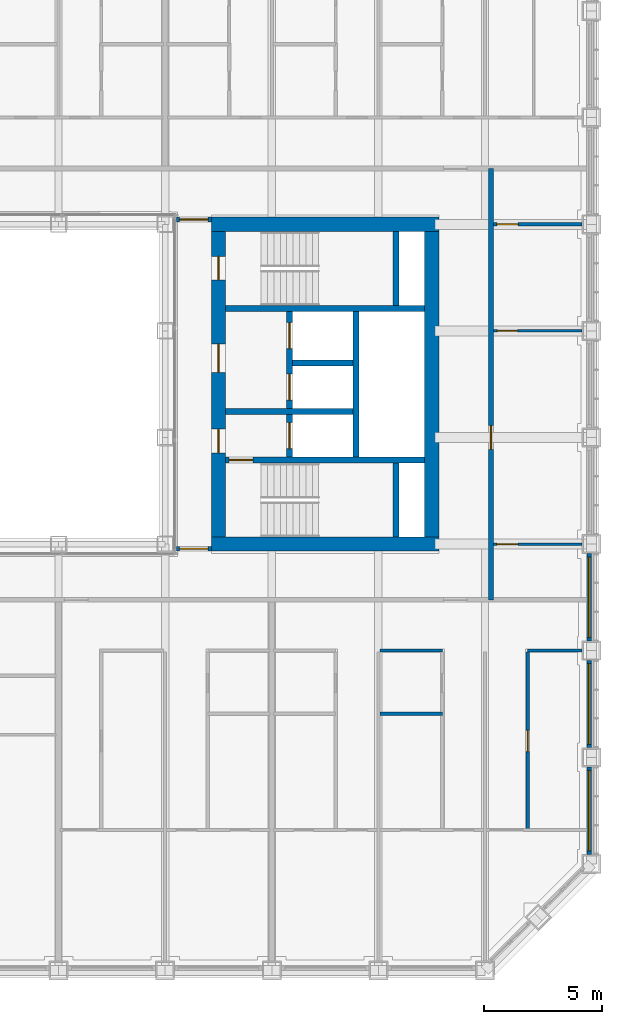
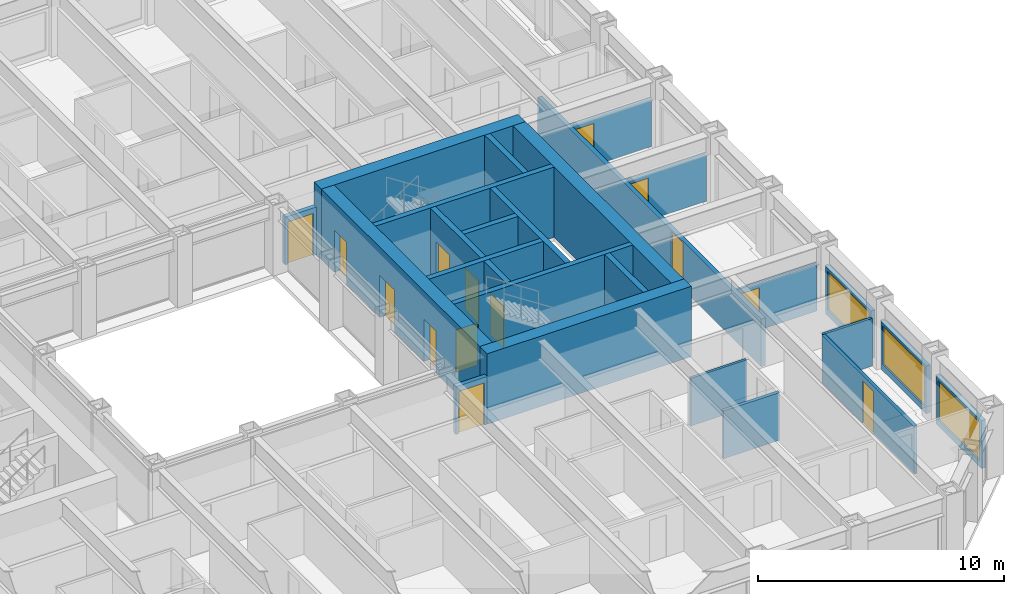
# One storey, part 12 of 21: 25 walls, 14 doors, 3 windows, 17 openings.
"""IFC4 building model written with IfcOpenShell, lengths in metres."""

from ifc_helpers import new_model, si_unit, direction, frame, frame_2d, origin, place, context, subcontext, project, spatial, rectangle, extrude, material, layer, layer_set, type_object, element, fill, save


model = new_model("IFC4")

# Units and contexts
model_context = context("Model", 3, precision=1e-05, world=origin(), true_north=direction((0.0, 1.0)))
body_context = subcontext(model_context, "Body", "Model", "MODEL_VIEW")
ifc_project = project(units=[si_unit("LENGTHUNIT", "METRE"), si_unit("AREAUNIT", "SQUARE_METRE"), si_unit("VOLUMEUNIT", "CUBIC_METRE"), si_unit("PLANEANGLEUNIT", "RADIAN"), si_unit("MASSUNIT", "GRAM", prefix="KILO")], contexts=[model_context])

# Site, building, storey
site_placement = place(None, origin())
site = spatial("IfcSite", under=ifc_project, at=site_placement, CompositionType="ELEMENT")
building_placement = place(site_placement, origin())
building = spatial("IfcBuilding", under=site, at=building_placement, Name="Msasa Ring Tower", CompositionType="ELEMENT")
storey_placement = place(building_placement, frame((0.0, 0.0, 75.5)))
storey = spatial("IfcBuildingStorey", under=building, at=storey_placement, Name="L19", CompositionType="ELEMENT", Elevation=75.5)

# Walls
ifc_material_1 = material(Name="Concrete C60/75", Category="concrete")
ifc_layer_1 = layer(ifc_material_1, 0.60009765625)
ifc_layer_set_1 = layer_set([ifc_layer_1], Name="CW1 CORE WALL 600")
wall_type_1 = type_object("IfcWallType", Name="CW1 CORE WALL 600", PredefinedType="SHEAR", material=ifc_layer_set_1)
for number, where, z_axis, x_axis, name in (
    (1, (8.699951171875, -6.75, 0.0), (0.0, 0.0, 1.0), (1.0, 0.0, 0.0), "E core wall S L19"),
    (2, (8.699951171875, 6.75, 0.0), (0.0, 0.0, 1.0), (1.0, 0.0, 0.0), "E core wall N L19"),
):
    element("IfcWall", number, at=place(storey_placement, frame(where, z_axis=z_axis, x_axis=x_axis)), inside=storey, type_object=wall_type_1, Name=name, PredefinedType="SHEAR", context=body_context, shape_type="SweptSolid", body=[
        extrude(rectangle(XDim=9.60009765625, YDim=0.60009765625, at=frame_2d((4.800048828125, 0.0))), origin(), (0.0, 0.0, 1.0), 3.5),
    ])

# Wall, openings, doors
wall_1_placement = place(storey_placement, frame((9.0, -6.449951171875, 0.0), z_axis=(0.0, 0.0, 1.0), x_axis=(0.0, 1.0, 0.0)))
wall_1 = element("IfcWall", 3, at=wall_1_placement, inside=storey, type_object=wall_type_1, Name="E core wall W L19", PredefinedType="SHEAR", context=body_context, shape_type="SweptSolid", body=[
    extrude(rectangle(XDim=12.89990234375, YDim=0.60009765625, at=frame_2d((6.449951171875, 0.0))), origin(), (0.0, 0.0, 1.0), 3.5),
])
opening_1_placement = place(wall_1_placement, frame((3.550048828125, 0.0, 0.0)))
opening_1 = element("IfcOpeningElement", 4, at=opening_1_placement, cuts=wall_1, Name="Opening RE-050", PredefinedType="OPENING", context=body_context, shape_type="SweptSolid", body=[
    extrude(rectangle(XDim=1.0, YDim=2.10009765625, at=frame_2d((0.5, 1.050048828125))), frame((0.0, 0.31005859375, 0.0), z_axis=(0.0, -1.0, 0.0), x_axis=(1.0, 0.0, 0.0)), (0.0, 0.0, 1.0), 0.6201171875),
])
opening_2_placement = place(wall_1_placement, frame((6.949951171875, 0.0, 0.0)))
opening_2 = element("IfcOpeningElement", 5, at=opening_2_placement, cuts=wall_1, Name="Opening RE-045", PredefinedType="OPENING", context=body_context, shape_type="SweptSolid", body=[
    extrude(rectangle(XDim=1.199951171875, YDim=2.10009765625, at=frame_2d((0.60009765625, 1.050048828125))), frame((0.0, 0.31005859375, 0.0), z_axis=(0.0, -1.0, 0.0), x_axis=(1.0, 0.0, 0.0)), (0.0, 0.0, 1.0), 0.6201171875),
])
opening_3_placement = place(wall_1_placement, frame((10.85009765625, 0.0, 0.0)))
opening_3 = element("IfcOpeningElement", 6, at=opening_3_placement, cuts=wall_1, Name="Opening RE-041", PredefinedType="OPENING", context=body_context, shape_type="SweptSolid", body=[
    extrude(rectangle(XDim=1.0, YDim=2.10009765625, at=frame_2d((0.5, 1.050048828125))), frame((0.0, 0.31005859375, 0.0), z_axis=(0.0, -1.0, 0.0), x_axis=(1.0, 0.0, 0.0)), (0.0, 0.0, 1.0), 0.6201171875),
])
ifc_material_2 = material(Name="Timber door leaf in a steel frame", Category="steel")
door_type_1 = type_object("IfcDoorType", Name="D4 LOBBY DOOR 1000x2100", OperationType="SINGLE_SWING_LEFT", PredefinedType="DOOR", material=ifc_material_2)
door_1_placement = place(opening_1_placement, origin())
door_1 = element("IfcDoor", 7, at=door_1_placement, inside=storey, type_object=door_type_1, Name="Door L19-EFFL", OperationType="SINGLE_SWING_LEFT", OverallHeight=2.10009765625, OverallWidth=1.0, PredefinedType="DOOR", context=body_context, shape_type="SweptSolid", body=[
    extrude(rectangle(XDim=1.0, YDim=2.10009765625, at=frame_2d((0.5, 1.050048828125))), frame((0.0, 0.02490234375, 0.0), z_axis=(0.0, -1.0, 0.0), x_axis=(1.0, 0.0, 0.0)), (0.0, 0.0, 1.0), 0.050048828125),
])
fill(opening_1, door_1)
ifc_material_3 = material(Name="Timber door leaf in a steel frame", Category="steel")
door_type_2 = type_object("IfcDoorType", Name="D5 WIDE LOBBY DOOR 1200x2100", OperationType="SINGLE_SWING_LEFT", PredefinedType="DOOR", material=ifc_material_3)
door_2_placement = place(opening_2_placement, origin())
door_2 = element("IfcDoor", 8, at=door_2_placement, inside=storey, type_object=door_type_2, Name="Door L19-ELL", OperationType="SINGLE_SWING_RIGHT", OverallHeight=2.10009765625, OverallWidth=1.199951171875, PredefinedType="DOOR", context=body_context, shape_type="SweptSolid", body=[
    extrude(rectangle(XDim=1.199951171875, YDim=2.10009765625, at=frame_2d((0.60009765625, 1.050048828125))), frame((0.0, 0.02490234375, 0.0), z_axis=(0.0, -1.0, 0.0), x_axis=(1.0, 0.0, 0.0)), (0.0, 0.0, 1.0), 0.050048828125),
])
fill(opening_2, door_2)
ifc_material_4 = material(Name="Timber door leaf in a steel frame", Category="steel")
door_type_3 = type_object("IfcDoorType", Name="D6 STAIR DOOR 1000x2100", OperationType="SINGLE_SWING_LEFT", PredefinedType="DOOR", material=ifc_material_4)
door_3_placement = place(opening_3_placement, origin())
door_3 = element("IfcDoor", 9, at=door_3_placement, inside=storey, type_object=door_type_3, Name="Door L19-ESTB", OperationType="SINGLE_SWING_RIGHT", OverallHeight=2.10009765625, OverallWidth=1.0, PredefinedType="DOOR", context=body_context, shape_type="SweptSolid", body=[
    extrude(rectangle(XDim=1.0, YDim=2.10009765625, at=frame_2d((0.5, 1.050048828125))), frame((0.0, 0.02490234375, 0.0), z_axis=(0.0, -1.0, 0.0), x_axis=(1.0, 0.0, 0.0)), (0.0, 0.0, 1.0), 0.050048828125),
])
fill(opening_3, door_3)

# Wall
wall_2_placement = place(storey_placement, frame((18.0, -6.449951171875, 0.0), z_axis=(0.0, 0.0, 1.0), x_axis=(0.0, 1.0, 0.0)))
element("IfcWall", 10, at=wall_2_placement, inside=storey, type_object=wall_type_1, Name="E core wall E L19", PredefinedType="SHEAR", context=body_context, shape_type="SweptSolid", body=[
    extrude(rectangle(XDim=12.89990234375, YDim=0.60009765625, at=frame_2d((6.449951171875, 0.0))), origin(), (0.0, 0.0, 1.0), 3.5),
])

# Wall, opening, door
ifc_material_5 = material(Name="Concrete C60/75", Category="concrete")
ifc_layer_2 = layer(ifc_material_5, 0.25)
ifc_layer_set_2 = layer_set([ifc_layer_2], Name="CW4 CORE INNER WALL 250")
wall_type_2 = type_object("IfcWallType", Name="CW4 CORE INNER WALL 250", PredefinedType="SHEAR", material=ifc_layer_set_2)
wall_3_placement = place(storey_placement, frame((9.300048828125, -3.199951171875, 0.0), z_axis=(0.0, 0.0, 1.0), x_axis=(1.0, 0.0, 0.0)))
wall_3 = element("IfcWall", 11, at=wall_3_placement, inside=storey, type_object=wall_type_2, Name="E core wall STAIRA L19", PredefinedType="SHEAR", context=body_context, shape_type="SweptSolid", body=[
    extrude(rectangle(XDim=8.39990234375, YDim=0.25, at=frame_2d((4.199951171875, 0.0))), origin(), (0.0, 0.0, 1.0), 3.5),
])
opening_4_placement = place(wall_3_placement, frame((0.14990234375, 0.0, 0.0)))
opening_4 = element("IfcOpeningElement", 12, at=opening_4_placement, cuts=wall_3, Name="Opening RE-052", PredefinedType="OPENING", context=body_context, shape_type="SweptSolid", body=[
    extrude(rectangle(XDim=1.0, YDim=2.10009765625, at=frame_2d((0.5, 1.050048828125))), frame((0.0, 0.135009765625, 0.0), z_axis=(0.0, -1.0, 0.0), x_axis=(1.0, 0.0, 0.0)), (0.0, 0.0, 1.0), 0.27001953125),
])
door_4_placement = place(opening_4_placement, origin())
door_4 = element("IfcDoor", 13, at=door_4_placement, inside=storey, type_object=door_type_3, Name="Door L19-ESTA", OperationType="SINGLE_SWING_LEFT", OverallHeight=2.10009765625, OverallWidth=1.0, PredefinedType="DOOR", context=body_context, shape_type="SweptSolid", body=[
    extrude(rectangle(XDim=1.0, YDim=2.10009765625, at=frame_2d((0.5, 1.050048828125))), frame((0.0, 0.02490234375, 0.0), z_axis=(0.0, -1.0, 0.0), x_axis=(1.0, 0.0, 0.0)), (0.0, 0.0, 1.0), 0.050048828125),
])
fill(opening_4, door_4)

# Walls
wall_4_placement = place(storey_placement, frame((9.300048828125, 3.199951171875, 0.0), z_axis=(0.0, 0.0, 1.0), x_axis=(1.0, 0.0, 0.0)))
element("IfcWall", 14, at=wall_4_placement, inside=storey, type_object=wall_type_2, Name="E core wall STAIRB L19", PredefinedType="SHEAR", context=body_context, shape_type="SweptSolid", body=[
    extrude(rectangle(XDim=8.39990234375, YDim=0.25, at=frame_2d((4.199951171875, 0.0))), origin(), (0.0, 0.0, 1.0), 3.5),
])
for number, where, z_axis, x_axis, name in (
    (15, (16.5, -6.449951171875, 0.0), (0.0, 0.0, 1.0), (0.0, 1.0, 0.0), "E core wall RISERA L19"),
    (16, (16.5, 3.324951171875, 0.0), (0.0, 0.0, 1.0), (0.0, 1.0, 0.0), "E core wall RISERB L19"),
):
    element("IfcWall", number, at=place(storey_placement, frame(where, z_axis=z_axis, x_axis=x_axis)), inside=storey, type_object=wall_type_2, Name=name, PredefinedType="SHEAR", context=body_context, shape_type="SweptSolid", body=[
        extrude(rectangle(XDim=3.125, YDim=0.25, at=frame_2d((1.5625, 0.0))), origin(), (0.0, 0.0, 1.0), 3.5),
    ])
wall_5_placement = place(storey_placement, frame((9.300048828125, -1.14990234375, 0.0), z_axis=(0.0, 0.0, 1.0), x_axis=(1.0, 0.0, 0.0)))
element("IfcWall", 17, at=wall_5_placement, inside=storey, type_object=wall_type_2, Name="E core wall FFL L19", PredefinedType="SHEAR", context=body_context, shape_type="SweptSolid", body=[
    extrude(rectangle(XDim=5.375, YDim=0.25, at=frame_2d((2.6875, 0.0))), origin(), (0.0, 0.0, 1.0), 3.5),
])

# Wall, openings, doors
wall_6_placement = place(storey_placement, frame((12.0, -3.074951171875, 0.0), z_axis=(0.0, 0.0, 1.0), x_axis=(0.0, 1.0, 0.0)))
wall_6 = element("IfcWall", 18, at=wall_6_placement, inside=storey, type_object=wall_type_2, Name="E core wall LOBBY L19", PredefinedType="SHEAR", context=body_context, shape_type="SweptSolid", body=[
    extrude(rectangle(XDim=6.14990234375, YDim=0.25, at=frame_2d((3.074951171875, 0.0))), origin(), (0.0, 0.0, 1.0), 3.5),
])
opening_5_placement = place(wall_6_placement, frame((0.35009765625, 0.0, 0.0)))
opening_5 = element("IfcOpeningElement", 19, at=opening_5_placement, cuts=wall_6, Name="Opening LD1", PredefinedType="OPENING", context=body_context, shape_type="SweptSolid", body=[
    extrude(rectangle(XDim=1.10009765625, YDim=2.10009765625, at=frame_2d((0.550048828125, 1.050048828125))), frame((0.0, 0.135009765625, 0.0), z_axis=(0.0, -1.0, 0.0), x_axis=(1.0, 0.0, 0.0)), (0.0, 0.0, 1.0), 0.27001953125),
])
opening_6_placement = place(wall_6_placement, frame((2.39990234375, 0.0, 0.0)))
opening_6 = element("IfcOpeningElement", 20, at=opening_6_placement, cuts=wall_6, Name="Opening LD1", PredefinedType="OPENING", context=body_context, shape_type="SweptSolid", body=[
    extrude(rectangle(XDim=1.10009765625, YDim=2.10009765625, at=frame_2d((0.550048828125, 1.050048828125))), frame((0.0, 0.135009765625, 0.0), z_axis=(0.0, -1.0, 0.0), x_axis=(1.0, 0.0, 0.0)), (0.0, 0.0, 1.0), 0.27001953125),
])
opening_7_placement = place(wall_6_placement, frame((4.574951171875, 0.0, 0.0)))
opening_7 = element("IfcOpeningElement", 21, at=opening_7_placement, cuts=wall_6, Name="Opening LD1", PredefinedType="OPENING", context=body_context, shape_type="SweptSolid", body=[
    extrude(rectangle(XDim=1.10009765625, YDim=2.10009765625, at=frame_2d((0.550048828125, 1.050048828125))), frame((0.0, 0.135009765625, 0.0), z_axis=(0.0, -1.0, 0.0), x_axis=(1.0, 0.0, 0.0)), (0.0, 0.0, 1.0), 0.27001953125),
])
ifc_material_6 = material(Name="Stainless steel lift landing door", Category="steel")
door_type_4 = type_object("IfcDoorType", Name="LD1 LIFT LANDING DOOR 1100x2100", OperationType="DOUBLE_DOOR_SLIDING", PredefinedType="DOOR", material=ifc_material_6)
door_5_placement = place(opening_5_placement, origin())
door_5 = element("IfcDoor", 22, at=door_5_placement, inside=storey, type_object=door_type_4, Name="Lift landing door FL-E L19", OperationType="DOUBLE_DOOR_SLIDING", OverallHeight=2.10009765625, OverallWidth=1.10009765625, PredefinedType="DOOR", context=body_context, shape_type="SweptSolid", body=[
    extrude(rectangle(XDim=1.10009765625, YDim=2.10009765625, at=frame_2d((0.550048828125, 1.050048828125))), frame((0.0, 0.02490234375, 0.0), z_axis=(0.0, -1.0, 0.0), x_axis=(1.0, 0.0, 0.0)), (0.0, 0.0, 1.0), 0.050048828125),
])
fill(opening_5, door_5)
door_6_placement = place(opening_6_placement, origin())
door_6 = element("IfcDoor", 23, at=door_6_placement, inside=storey, type_object=door_type_4, Name="Lift landing door PL-R1 L19", OperationType="DOUBLE_DOOR_SLIDING", OverallHeight=2.10009765625, OverallWidth=1.10009765625, PredefinedType="DOOR", context=body_context, shape_type="SweptSolid", body=[
    extrude(rectangle(XDim=1.10009765625, YDim=2.10009765625, at=frame_2d((0.550048828125, 1.050048828125))), frame((0.0, 0.02490234375, 0.0), z_axis=(0.0, -1.0, 0.0), x_axis=(1.0, 0.0, 0.0)), (0.0, 0.0, 1.0), 0.050048828125),
])
fill(opening_6, door_6)
door_7_placement = place(opening_7_placement, origin())
door_7 = element("IfcDoor", 24, at=door_7_placement, inside=storey, type_object=door_type_4, Name="Lift landing door PL-R2 L19", OperationType="DOUBLE_DOOR_SLIDING", OverallHeight=2.10009765625, OverallWidth=1.10009765625, PredefinedType="DOOR", context=body_context, shape_type="SweptSolid", body=[
    extrude(rectangle(XDim=1.10009765625, YDim=2.10009765625, at=frame_2d((0.550048828125, 1.050048828125))), frame((0.0, 0.02490234375, 0.0), z_axis=(0.0, -1.0, 0.0), x_axis=(1.0, 0.0, 0.0)), (0.0, 0.0, 1.0), 0.050048828125),
])
fill(opening_7, door_7)

# Walls
wall_7_placement = place(storey_placement, frame((14.800048828125, -3.074951171875, 0.0), z_axis=(0.0, 0.0, 1.0), x_axis=(0.0, 1.0, 0.0)))
element("IfcWall", 25, at=wall_7_placement, inside=storey, type_object=wall_type_2, Name="E core wall SHAFT L19", PredefinedType="SHEAR", context=body_context, shape_type="SweptSolid", body=[
    extrude(rectangle(XDim=6.14990234375, YDim=0.25, at=frame_2d((3.074951171875, 0.0))), origin(), (0.0, 0.0, 1.0), 3.5),
])
wall_8_placement = place(storey_placement, frame((12.125, 0.89990234375, 0.0), z_axis=(0.0, 0.0, 1.0), x_axis=(1.0, 0.0, 0.0)))
element("IfcWall", 26, at=wall_8_placement, inside=storey, type_object=wall_type_2, Name="E core wall LIFT1 L19", PredefinedType="SHEAR", context=body_context, shape_type="SweptSolid", body=[
    extrude(rectangle(XDim=2.550048828125, YDim=0.25, at=frame_2d((1.27490234375, 0.0))), origin(), (0.0, 0.0, 1.0), 3.5),
])

# Wall, opening, window
ifc_material_7 = material(Name="Terracotta rainscreen on blockwork", Category="masonry")
ifc_layer_3 = layer(ifc_material_7, 0.199951171875)
ifc_layer_set_3 = layer_set([ifc_layer_3], Name="FW1 TERRACOTTA-LINED INFILL BAY WALL 200")
wall_type_3 = type_object("IfcWallType", Name="FW1 TERRACOTTA-LINED INFILL BAY WALL 200", PredefinedType="SOLIDWALL", material=ifc_layer_set_3)
wall_9_placement = place(storey_placement, frame((24.64990234375, -19.844970703125, 0.0), z_axis=(0.0, 0.0, 1.0), x_axis=(0.0, 1.0, 0.0)))
wall_9 = element("IfcWall", 27, at=wall_9_placement, inside=storey, type_object=wall_type_3, Name="Infill bay wall E L19 11", PredefinedType="SOLIDWALL", context=body_context, shape_type="SweptSolid", body=[
    extrude(rectangle(XDim=3.68994140625, YDim=0.199951171875, at=frame_2d((1.844970703125, 0.0))), origin(), (0.0, 0.0, 1.0), 2.37890625),
])
opening_8_placement = place(wall_9_placement, frame((0.14501953125, 0.0, 0.300048828125)))
opening_8 = element("IfcOpeningElement", 28, at=opening_8_placement, cuts=wall_9, Name="Opening WN1", PredefinedType="OPENING", context=body_context, shape_type="SweptSolid", body=[
    extrude(rectangle(XDim=3.39990234375, YDim=1.928955078125, at=frame_2d((1.699951171875, 0.96435546875))), frame((0.0, 0.10986328125, 0.0), z_axis=(0.0, -1.0, 0.0), x_axis=(1.0, 0.0, 0.0)), (0.0, 0.0, 1.0), 0.219970703125),
])
ifc_material_8 = material(Name="Aluminium frame with clear glass", Category="aluminium")
window_type = type_object("IfcWindowType", Name="WN1 RESIDENCE WINDOW 3400x1929", PartitioningType="SINGLE_PANEL", PredefinedType="WINDOW", material=ifc_material_8)
window_1_placement = place(opening_8_placement, origin())
window_1 = element("IfcWindow", 29, at=window_1_placement, inside=storey, type_object=window_type, Name="Window E L19 11", OverallHeight=1.928955078125, OverallWidth=3.39990234375, PartitioningType="SINGLE_PANEL", PredefinedType="WINDOW", context=body_context, shape_type="SweptSolid", body=[
    extrude(rectangle(XDim=3.39990234375, YDim=1.928955078125, at=frame_2d((1.699951171875, 0.96435546875))), frame((0.0, 0.030029296875, 0.0), z_axis=(0.0, -1.0, 0.0), x_axis=(1.0, 0.0, 0.0)), (0.0, 0.0, 1.0), 0.06005859375),
])
fill(opening_8, window_1)

wall_10_placement = place(storey_placement, frame((24.64990234375, -15.344970703125, 0.0), z_axis=(0.0, 0.0, 1.0), x_axis=(0.0, 1.0, 0.0)))
wall_10 = element("IfcWall", 30, at=wall_10_placement, inside=storey, type_object=wall_type_3, Name="Infill bay wall E L19 12", PredefinedType="SOLIDWALL", context=body_context, shape_type="SweptSolid", body=[
    extrude(rectangle(XDim=3.68994140625, YDim=0.199951171875, at=frame_2d((1.844970703125, 0.0))), origin(), (0.0, 0.0, 1.0), 2.37890625),
])
opening_9_placement = place(wall_10_placement, frame((0.14501953125, 0.0, 0.300048828125)))
opening_9 = element("IfcOpeningElement", 31, at=opening_9_placement, cuts=wall_10, Name="Opening WN1", PredefinedType="OPENING", context=body_context, shape_type="SweptSolid", body=[
    extrude(rectangle(XDim=3.39990234375, YDim=1.928955078125, at=frame_2d((1.699951171875, 0.96435546875))), frame((0.0, 0.10986328125, 0.0), z_axis=(0.0, -1.0, 0.0), x_axis=(1.0, 0.0, 0.0)), (0.0, 0.0, 1.0), 0.219970703125),
])
window_2_placement = place(opening_9_placement, origin())
window_2 = element("IfcWindow", 32, at=window_2_placement, inside=storey, type_object=window_type, Name="Window E L19 12", OverallHeight=1.928955078125, OverallWidth=3.39990234375, PartitioningType="SINGLE_PANEL", PredefinedType="WINDOW", context=body_context, shape_type="SweptSolid", body=[
    extrude(rectangle(XDim=3.39990234375, YDim=1.928955078125, at=frame_2d((1.699951171875, 0.96435546875))), frame((0.0, 0.030029296875, 0.0), z_axis=(0.0, -1.0, 0.0), x_axis=(1.0, 0.0, 0.0)), (0.0, 0.0, 1.0), 0.06005859375),
])
fill(opening_9, window_2)

wall_11_placement = place(storey_placement, frame((24.64990234375, -10.844970703125, 0.0), z_axis=(0.0, 0.0, 1.0), x_axis=(0.0, 1.0, 0.0)))
wall_11 = element("IfcWall", 33, at=wall_11_placement, inside=storey, type_object=wall_type_3, Name="Infill bay wall E L19 13", PredefinedType="SOLIDWALL", context=body_context, shape_type="SweptSolid", body=[
    extrude(rectangle(XDim=3.68994140625, YDim=0.199951171875, at=frame_2d((1.844970703125, 0.0))), origin(), (0.0, 0.0, 1.0), 2.37890625),
])
opening_10_placement = place(wall_11_placement, frame((0.14501953125, 0.0, 0.300048828125)))
opening_10 = element("IfcOpeningElement", 34, at=opening_10_placement, cuts=wall_11, Name="Opening WN1", PredefinedType="OPENING", context=body_context, shape_type="SweptSolid", body=[
    extrude(rectangle(XDim=3.39990234375, YDim=1.928955078125, at=frame_2d((1.699951171875, 0.96435546875))), frame((0.0, 0.10986328125, 0.0), z_axis=(0.0, -1.0, 0.0), x_axis=(1.0, 0.0, 0.0)), (0.0, 0.0, 1.0), 0.219970703125),
])
window_3_placement = place(opening_10_placement, origin())
window_3 = element("IfcWindow", 35, at=window_3_placement, inside=storey, type_object=window_type, Name="Window E L19 13", OverallHeight=1.928955078125, OverallWidth=3.39990234375, PartitioningType="SINGLE_PANEL", PredefinedType="WINDOW", context=body_context, shape_type="SweptSolid", body=[
    extrude(rectangle(XDim=3.39990234375, YDim=1.928955078125, at=frame_2d((1.699951171875, 0.96435546875))), frame((0.0, 0.030029296875, 0.0), z_axis=(0.0, -1.0, 0.0), x_axis=(1.0, 0.0, 0.0)), (0.0, 0.0, 1.0), 0.06005859375),
])
fill(opening_10, window_3)

# Wall, opening, door
ifc_material_9 = material(Name="Concrete blockwork", Category="masonry")
ifc_layer_4 = layer(ifc_material_9, 0.199951171875)
ifc_layer_set_4 = layer_set([ifc_layer_4], Name="PT1 CORRIDOR WALL 200")
wall_type_4 = type_object("IfcWallType", Name="PT1 CORRIDOR WALL 200", PredefinedType="PARTITIONING", material=ifc_layer_set_4)
wall_12_placement = place(storey_placement, frame((7.22998046875, 6.949951171875, 0.0), z_axis=(0.0, 0.0, 1.0), x_axis=(1.0, 0.0, 0.0)))
wall_12 = element("IfcWall", 36, at=wall_12_placement, inside=storey, type_object=wall_type_4, Name="Corridor wall L19-SDEN", PredefinedType="PARTITIONING", context=body_context, shape_type="SweptSolid", body=[
    extrude(rectangle(XDim=1.469970703125, YDim=0.199951171875, at=frame_2d((0.73486328125, 0.0))), origin(), (0.0, 0.0, 1.0), 2.373291015625),
])
opening_11_placement = place(wall_12_placement, frame((0.135009765625, 0.0, 0.0)))
opening_11 = element("IfcOpeningElement", 37, at=opening_11_placement, cuts=wall_12, Name="Opening RE-037", PredefinedType="OPENING", context=body_context, shape_type="SweptSolid", body=[
    extrude(rectangle(XDim=1.199951171875, YDim=2.10009765625, at=frame_2d((0.60009765625, 1.050048828125))), frame((0.0, 0.10986328125, 0.0), z_axis=(0.0, -1.0, 0.0), x_axis=(1.0, 0.0, 0.0)), (0.0, 0.0, 1.0), 0.219970703125),
])
ifc_material_10 = material(Name="Timber door leaf in a steel frame", Category="steel")
door_type_5 = type_object("IfcDoorType", Name="D25 CORRIDOR PAIR OF SMOKE DOORS 1200x2100", OperationType="DOUBLE_DOOR_DOUBLE_SWING", PredefinedType="DOOR", material=ifc_material_10)
door_8_placement = place(opening_11_placement, origin())
door_8 = element("IfcDoor", 38, at=door_8_placement, inside=storey, type_object=door_type_5, Name="Door L19-SDEN", OperationType="DOUBLE_DOOR_DOUBLE_SWING", OverallHeight=2.10009765625, OverallWidth=1.199951171875, PredefinedType="DOOR", context=body_context, shape_type="SweptSolid", body=[
    extrude(rectangle(XDim=1.199951171875, YDim=2.10009765625, at=frame_2d((0.60009765625, 1.050048828125))), frame((0.0, 0.02490234375, 0.0), z_axis=(0.0, -1.0, 0.0), x_axis=(1.0, 0.0, 0.0)), (0.0, 0.0, 1.0), 0.050048828125),
])
fill(opening_11, door_8)

wall_13_placement = place(storey_placement, frame((7.22998046875, -6.949951171875, 0.0), z_axis=(0.0, 0.0, 1.0), x_axis=(1.0, 0.0, 0.0)))
wall_13 = element("IfcWall", 39, at=wall_13_placement, inside=storey, type_object=wall_type_4, Name="Corridor wall L19-SDES", PredefinedType="PARTITIONING", context=body_context, shape_type="SweptSolid", body=[
    extrude(rectangle(XDim=1.469970703125, YDim=0.199951171875, at=frame_2d((0.73486328125, 0.0))), origin(), (0.0, 0.0, 1.0), 2.373291015625),
])
opening_12_placement = place(wall_13_placement, frame((0.135009765625, 0.0, 0.0)))
opening_12 = element("IfcOpeningElement", 40, at=opening_12_placement, cuts=wall_13, Name="Opening RE-055", PredefinedType="OPENING", context=body_context, shape_type="SweptSolid", body=[
    extrude(rectangle(XDim=1.199951171875, YDim=2.10009765625, at=frame_2d((0.60009765625, 1.050048828125))), frame((0.0, 0.10986328125, 0.0), z_axis=(0.0, -1.0, 0.0), x_axis=(1.0, 0.0, 0.0)), (0.0, 0.0, 1.0), 0.219970703125),
])
door_9_placement = place(opening_12_placement, origin())
door_9 = element("IfcDoor", 41, at=door_9_placement, inside=storey, type_object=door_type_5, Name="Door L19-SDES", OperationType="DOUBLE_DOOR_DOUBLE_SWING", OverallHeight=2.10009765625, OverallWidth=1.199951171875, PredefinedType="DOOR", context=body_context, shape_type="SweptSolid", body=[
    extrude(rectangle(XDim=1.199951171875, YDim=2.10009765625, at=frame_2d((0.60009765625, 1.050048828125))), frame((0.0, 0.02490234375, 0.0), z_axis=(0.0, -1.0, 0.0), x_axis=(1.0, 0.0, 0.0)), (0.0, 0.0, 1.0), 0.050048828125),
])
fill(opening_12, door_9)

wall_14_placement = place(storey_placement, frame((20.5, -9.10009765625, 0.0), z_axis=(0.0, 0.0, 1.0), x_axis=(0.0, 1.0, 0.0)))
wall_14 = element("IfcWall", 42, at=wall_14_placement, inside=storey, type_object=wall_type_4, Name="Corridor wall L19-STRE", PredefinedType="PARTITIONING", context=body_context, shape_type="SweptSolid", body=[
    extrude(rectangle(XDim=18.2001953125, YDim=0.199951171875, at=frame_2d((9.10009765625, 0.0))), origin(), (0.0, 0.0, 1.0), 2.373291015625),
])
opening_13_placement = place(wall_14_placement, frame((6.35009765625, 0.0, 0.0)))
opening_13 = element("IfcOpeningElement", 43, at=opening_13_placement, cuts=wall_14, Name="Opening RE-048", PredefinedType="OPENING", context=body_context, shape_type="SweptSolid", body=[
    extrude(rectangle(XDim=1.0, YDim=2.300048828125, at=frame_2d((0.5, 1.14990234375))), frame((0.0, 0.10986328125, 0.0), z_axis=(0.0, -1.0, 0.0), x_axis=(1.0, 0.0, 0.0)), (0.0, 0.0, 1.0), 0.219970703125),
])
ifc_material_11 = material(Name="Timber door leaf in a steel frame", Category="steel")
door_type_6 = type_object("IfcDoorType", Name="D16 UPPER RESIDENCE ENTRANCE DOOR 1000x2300", OperationType="SINGLE_SWING_LEFT", PredefinedType="DOOR", material=ifc_material_11)
door_10_placement = place(opening_13_placement, origin())
door_10 = element("IfcDoor", 44, at=door_10_placement, inside=storey, type_object=door_type_6, Name="Door L19-STE", OperationType="SINGLE_SWING_LEFT", OverallHeight=2.300048828125, OverallWidth=1.0, PredefinedType="DOOR", context=body_context, shape_type="SweptSolid", body=[
    extrude(rectangle(XDim=1.0, YDim=2.300048828125, at=frame_2d((0.5, 1.14990234375))), frame((0.0, 0.02490234375, 0.0), z_axis=(0.0, -1.0, 0.0), x_axis=(1.0, 0.0, 0.0)), (0.0, 0.0, 1.0), 0.050048828125),
])
fill(opening_13, door_10)

ifc_material_12 = material(Name="Gypsum board on steel studs", Category="steel")
ifc_layer_5 = layer(ifc_material_12, 0.10009765625)
ifc_layer_set_5 = layer_set([ifc_layer_5], Name="PT2 STUD PARTITION 100")
wall_type_5 = type_object("IfcWallType", Name="PT2 STUD PARTITION 100", PredefinedType="PARTITIONING", material=ifc_layer_set_5)
wall_15_placement = place(storey_placement, frame((20.60009765625, -6.75, 0.0), z_axis=(0.0, 0.0, 1.0), x_axis=(1.0, 0.0, 0.0)))
wall_15 = element("IfcWall", 45, at=wall_15_placement, inside=storey, type_object=wall_type_5, Name="Partition L19-STEKY", PredefinedType="PARTITIONING", context=body_context, shape_type="SweptSolid", body=[
    extrude(rectangle(XDim=3.75, YDim=0.10009765625, at=frame_2d((1.875, 0.0))), origin(), (0.0, 0.0, 1.0), 2.373291015625),
])
opening_14_placement = place(wall_15_placement, frame((0.14990234375, 0.0, 0.0)))
opening_14 = element("IfcOpeningElement", 46, at=opening_14_placement, cuts=wall_15, Name="Opening RE-054", PredefinedType="OPENING", context=body_context, shape_type="SweptSolid", body=[
    extrude(rectangle(XDim=0.89990234375, YDim=2.10009765625, at=frame_2d((0.449951171875, 1.050048828125))), frame((0.0, 0.06005859375, 0.0), z_axis=(0.0, -1.0, 0.0), x_axis=(1.0, 0.0, 0.0)), (0.0, 0.0, 1.0), 0.1201171875),
])
ifc_material_13 = material(Name="Timber door leaf in a steel frame", Category="steel")
door_type_7 = type_object("IfcDoorType", Name="D22 INTERNAL HALL DOOR 900x2100", OperationType="SINGLE_SWING_LEFT", PredefinedType="DOOR", material=ifc_material_13)
door_11_placement = place(opening_14_placement, origin())
door_11 = element("IfcDoor", 47, at=door_11_placement, inside=storey, type_object=door_type_7, Name="Door L19-STEK", OperationType="SINGLE_SWING_LEFT", OverallHeight=2.10009765625, OverallWidth=0.89990234375, PredefinedType="DOOR", context=body_context, shape_type="SweptSolid", body=[
    extrude(rectangle(XDim=0.89990234375, YDim=2.10009765625, at=frame_2d((0.449951171875, 1.050048828125))), frame((0.0, 0.02490234375, 0.0), z_axis=(0.0, -1.0, 0.0), x_axis=(1.0, 0.0, 0.0)), (0.0, 0.0, 1.0), 0.050048828125),
])
fill(opening_14, door_11)

wall_16_placement = place(storey_placement, frame((20.60009765625, 2.25, 0.0), z_axis=(0.0, 0.0, 1.0), x_axis=(1.0, 0.0, 0.0)))
wall_16 = element("IfcWall", 48, at=wall_16_placement, inside=storey, type_object=wall_type_5, Name="Partition L19-STERY", PredefinedType="PARTITIONING", context=body_context, shape_type="SweptSolid", body=[
    extrude(rectangle(XDim=3.75, YDim=0.10009765625, at=frame_2d((1.875, 0.0))), origin(), (0.0, 0.0, 1.0), 2.373291015625),
])
opening_15_placement = place(wall_16_placement, frame((0.175048828125, 0.0, 0.0)))
opening_15 = element("IfcOpeningElement", 49, at=opening_15_placement, cuts=wall_16, Name="Opening RE-043", PredefinedType="OPENING", context=body_context, shape_type="SweptSolid", body=[
    extrude(rectangle(XDim=0.85009765625, YDim=2.10009765625, at=frame_2d((0.425048828125, 1.050048828125))), frame((0.0, 0.06005859375, 0.0), z_axis=(0.0, -1.0, 0.0), x_axis=(1.0, 0.0, 0.0)), (0.0, 0.0, 1.0), 0.1201171875),
])
ifc_material_14 = material(Name="Timber door leaf in a steel frame", Category="steel")
door_type_8 = type_object("IfcDoorType", Name="D14 BEDROOM DOOR 850x2100", OperationType="SINGLE_SWING_LEFT", PredefinedType="DOOR", material=ifc_material_14)
door_12_placement = place(opening_15_placement, origin())
door_12 = element("IfcDoor", 50, at=door_12_placement, inside=storey, type_object=door_type_8, Name="Door L19-STER", OperationType="SINGLE_SWING_LEFT", OverallHeight=2.10009765625, OverallWidth=0.85009765625, PredefinedType="DOOR", context=body_context, shape_type="SweptSolid", body=[
    extrude(rectangle(XDim=0.85009765625, YDim=2.10009765625, at=frame_2d((0.425048828125, 1.050048828125))), frame((0.0, 0.02490234375, 0.0), z_axis=(0.0, -1.0, 0.0), x_axis=(1.0, 0.0, 0.0)), (0.0, 0.0, 1.0), 0.050048828125),
])
fill(opening_15, door_12)

ifc_material_15 = material(Name="Moisture-resistant board on steel studs with a concealed cistern and pipe void, tiled", Category="steel")
ifc_layer_6 = layer(ifc_material_15, 0.14990234375)
ifc_layer_set_6 = layer_set([ifc_layer_6], Name="PT4 BATHROOM WET WALL 150")
wall_type_6 = type_object("IfcWallType", Name="PT4 BATHROOM WET WALL 150", PredefinedType="PARTITIONING", material=ifc_layer_set_6)
wall_17_placement = place(storey_placement, frame((22.050048828125, -18.8125, 0.0), z_axis=(0.0, 0.0, 1.0), x_axis=(0.0, 1.0, 0.0)))
wall_17 = element("IfcWall", 51, at=wall_17_placement, inside=storey, type_object=wall_type_6, Name="Partition L19-US04SX0", PredefinedType="PARTITIONING", context=body_context, shape_type="SweptSolid", body=[
    extrude(rectangle(XDim=7.5, YDim=0.14990234375, at=frame_2d((3.75, 0.0))), origin(), (0.0, 0.0, 1.0), 2.373291015625),
])
opening_16_placement = place(wall_17_placement, frame((3.300048828125, 0.0, 0.0)))
opening_16 = element("IfcOpeningElement", 52, at=opening_16_placement, cuts=wall_17, Name="Opening RE-072", PredefinedType="OPENING", context=body_context, shape_type="SweptSolid", body=[
    extrude(rectangle(XDim=0.89990234375, YDim=2.10009765625, at=frame_2d((0.449951171875, 1.050048828125))), frame((0.0, 0.0849609375, 0.0), z_axis=(0.0, -1.0, 0.0), x_axis=(1.0, 0.0, 0.0)), (0.0, 0.0, 1.0), 0.169921875),
])
door_13_placement = place(opening_16_placement, origin())
door_13 = element("IfcDoor", 53, at=door_13_placement, inside=storey, type_object=door_type_7, Name="Door L19-US04K", OperationType="SINGLE_SWING_LEFT", OverallHeight=2.10009765625, OverallWidth=0.89990234375, PredefinedType="DOOR", context=body_context, shape_type="SweptSolid", body=[
    extrude(rectangle(XDim=0.89990234375, YDim=2.10009765625, at=frame_2d((0.449951171875, 1.050048828125))), frame((0.0, 0.02490234375, 0.0), z_axis=(0.0, -1.0, 0.0), x_axis=(1.0, 0.0, 0.0)), (0.0, 0.0, 1.0), 0.050048828125),
])
fill(opening_16, door_13)

# Wall
wall_18_placement = place(storey_placement, frame((15.8125, -13.91259765625, 0.0), z_axis=(0.0, 0.0, 1.0), x_axis=(1.0, 0.0, 0.0)))
element("IfcWall", 54, at=wall_18_placement, inside=storey, type_object=wall_type_6, Name="Partition L19-US04SB1", PredefinedType="PARTITIONING", context=body_context, shape_type="SweptSolid", body=[
    extrude(rectangle(XDim=2.637451171875, YDim=0.14990234375, at=frame_2d((1.31884765625, 0.0))), origin(), (0.0, 0.0, 1.0), 2.373291015625),
])

# Wall, opening, door
wall_19_placement = place(storey_placement, frame((20.60009765625, 6.75, 0.0), z_axis=(0.0, 0.0, 1.0), x_axis=(1.0, 0.0, 0.0)))
wall_19 = element("IfcWall", 55, at=wall_19_placement, inside=storey, type_object=wall_type_6, Name="Partition L19-STEBY", PredefinedType="PARTITIONING", context=body_context, shape_type="SweptSolid", body=[
    extrude(rectangle(XDim=3.75, YDim=0.14990234375, at=frame_2d((1.875, 0.0))), origin(), (0.0, 0.0, 1.0), 2.373291015625),
])
opening_17_placement = place(wall_19_placement, frame((0.14990234375, 0.0, 0.0)))
opening_17 = element("IfcOpeningElement", 56, at=opening_17_placement, cuts=wall_19, Name="Opening RE-039", PredefinedType="OPENING", context=body_context, shape_type="SweptSolid", body=[
    extrude(rectangle(XDim=0.89990234375, YDim=2.10009765625, at=frame_2d((0.449951171875, 1.050048828125))), frame((0.0, 0.0849609375, 0.0), z_axis=(0.0, -1.0, 0.0), x_axis=(1.0, 0.0, 0.0)), (0.0, 0.0, 1.0), 0.169921875),
])
ifc_material_16 = material(Name="Timber door leaf in a steel frame", Category="steel")
door_type_9 = type_object("IfcDoorType", Name="D3 BATHROOM DOOR 900x2100", OperationType="SINGLE_SWING_LEFT", PredefinedType="DOOR", material=ifc_material_16)
door_14_placement = place(opening_17_placement, origin())
door_14 = element("IfcDoor", 57, at=door_14_placement, inside=storey, type_object=door_type_9, Name="Door L19-STEB", OperationType="SINGLE_SWING_LEFT", OverallHeight=2.10009765625, OverallWidth=0.89990234375, PredefinedType="DOOR", context=body_context, shape_type="SweptSolid", body=[
    extrude(rectangle(XDim=0.89990234375, YDim=2.10009765625, at=frame_2d((0.449951171875, 1.050048828125))), frame((0.0, 0.02490234375, 0.0), z_axis=(0.0, -1.0, 0.0), x_axis=(1.0, 0.0, 0.0)), (0.0, 0.0, 1.0), 0.050048828125),
])
fill(opening_17, door_14)

# Walls
ifc_material_17 = material(Name="Two layers of acoustic board each face on steel studs, mineral wool", Category="steel")
ifc_layer_7 = layer(ifc_material_17, 0.125)
ifc_layer_set_7 = layer_set([ifc_layer_7], Name="PT6 ACOUSTIC DOUBLE-BOARD PARTITION 125")
wall_type_7 = type_object("IfcWallType", Name="PT6 ACOUSTIC DOUBLE-BOARD PARTITION 125", PredefinedType="PARTITIONING", material=ifc_layer_set_7)
wall_20_placement = place(storey_placement, frame((22.050048828125, -11.25, 0.0), z_axis=(0.0, 0.0, 1.0), x_axis=(1.0, 0.0, 0.0)))
element("IfcWall", 58, at=wall_20_placement, inside=storey, type_object=wall_type_7, Name="Partition L19-US04HY0", PredefinedType="PARTITIONING", context=body_context, shape_type="SweptSolid", body=[
    extrude(rectangle(XDim=2.300048828125, YDim=0.125, at=frame_2d((1.14990234375, 0.0))), origin(), (0.0, 0.0, 1.0), 2.373291015625),
])
wall_21_placement = place(storey_placement, frame((15.8173828125, -11.25, 0.0), z_axis=(0.0, 0.0, 1.0), x_axis=(1.0, 0.0, 0.0)))
element("IfcWall", 59, at=wall_21_placement, inside=storey, type_object=wall_type_7, Name="Partition L19-US04HY1", PredefinedType="PARTITIONING", context=body_context, shape_type="SweptSolid", body=[
    extrude(rectangle(XDim=2.632568359375, YDim=0.125, at=frame_2d((1.31640625, 0.0))), origin(), (0.0, 0.0, 1.0), 2.373291015625),
])

save(model, "model.ifc")
